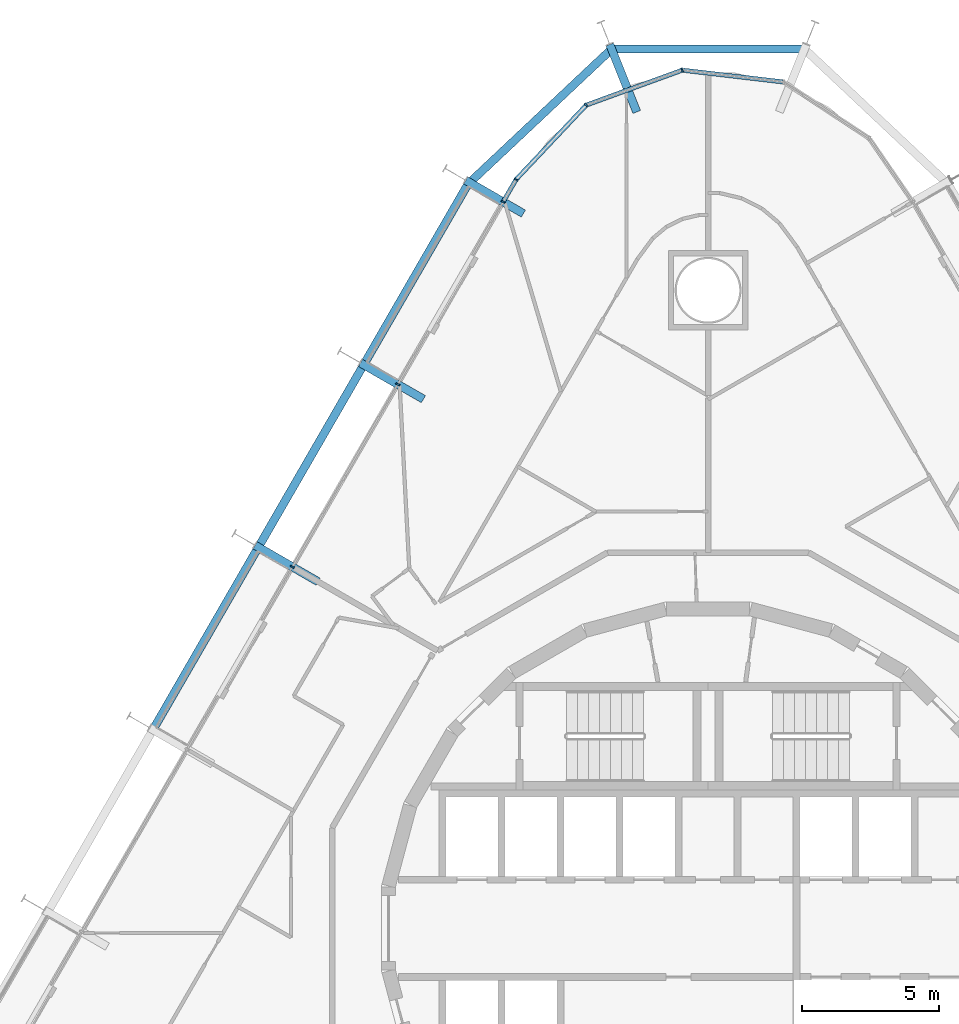
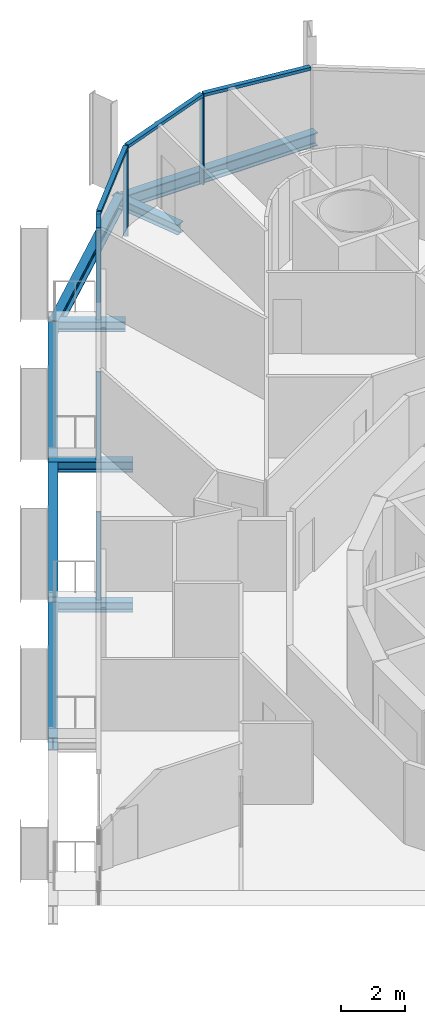
# One storey, part 9 of 21: 10 members, 9 beams, 2 elements without a shape of their own.
"""IFC4 building model written with IfcOpenShell, lengths in metres."""

import ifcopenshell
import ifcopenshell.guid

model = None  # the IFC model being written
_history = None  # IfcOwnerHistory: only IFC2X3 demands one
_inside = {}  # id of a spatial element -> (the spatial element, [elements in it])
_under = {}  # id of a project, library or spatial element -> (it, [spatial elements below it])
_declared = {}  # id of a project -> (the project, [libraries it declares])
_typed = {}  # id of a type object -> (the type object, [elements of that type])
_made_of = {}  # id of a material, layer set ... -> (it, [elements and type objects made of it])


def new_model(schema):
    """Start an empty IFC model of exactly this schema.

    Asked for "IFC4X3", IfcOpenShell would pick the latest addendum, in which some entities
    have other attributes; the version numbers below select the first issue.
    IFC2X3 requires an IfcOwnerHistory on every rooted entity: one is made here for all.
    """
    global model, _history
    if schema == "IFC4X3":
        model = ifcopenshell.file(schema_version=(4, 3, 0, 0))
    else:
        model = ifcopenshell.file(schema=schema)
    _inside.clear()
    _under.clear()
    _declared.clear()
    _typed.clear()
    _made_of.clear()
    _history = None
    if model.schema == "IFC2X3":
        org = make("IfcOrganization", Name="unknown")
        user = make(
            "IfcPersonAndOrganization",
            ThePerson=make("IfcPerson", FamilyName="unknown"),
            TheOrganization=org,
        )
        app = make(
            "IfcApplication",
            ApplicationDeveloper=org,
            Version="unknown",
            ApplicationFullName="unknown",
            ApplicationIdentifier="unknown",
        )
        _history = make(
            "IfcOwnerHistory",
            OwningUser=user,
            OwningApplication=app,
            ChangeAction="ADDED",
            CreationDate=0,
        )
    return model


def make(cls, **values):
    """One entity of the class cls with the attributes given. An attribute that is None is left unset."""
    return model.create_entity(
        cls, **{name: value for name, value in values.items() if value is not None}
    )


def rooted(cls, **values):
    """An entity with a GlobalId (a new one), such as an element, a storey or a relation."""
    return make(cls, GlobalId=ifcopenshell.guid.new(), OwnerHistory=_history, **values)


def si_unit(unit_type, name, prefix=None):
    """IfcSIUnit, for example si_unit("LENGTHUNIT", "METRE", prefix="MILLI")."""
    return make("IfcSIUnit", UnitType=unit_type, Prefix=prefix, Name=name)


def assignment(units):
    """IfcUnitAssignment: the units of a project."""
    return None if units is None else make("IfcUnitAssignment", Units=units)


def point(xyz):
    """IfcCartesianPoint."""
    return None if xyz is None else make("IfcCartesianPoint", Coordinates=xyz)


def direction(xyz):
    """IfcDirection."""
    return None if xyz is None else make("IfcDirection", DirectionRatios=xyz)


def frame(location, z_axis=None, x_axis=None):
    """IfcAxis2Placement3D, a coordinate frame: its origin and axes. An axis left out is left unset."""
    return make(
        "IfcAxis2Placement3D",
        Location=point(location),
        Axis=direction(z_axis),
        RefDirection=direction(x_axis),
    )


def frame_2d(location, x_axis=None):
    """IfcAxis2Placement2D, a coordinate frame in the plane: its origin and x axis."""
    return make(
        "IfcAxis2Placement2D", Location=point(location), RefDirection=direction(x_axis)
    )


def origin():
    """The frame at (0, 0, 0) with its axes left unset."""
    return frame((0.0, 0.0, 0.0))


def origin_2d():
    """The frame at (0, 0) in the plane with its x axis left unset."""
    return frame_2d((0.0, 0.0))


def place(relative_to, where):
    """IfcLocalPlacement: puts the frame where relative to a parent placement (None: the world)."""
    return make(
        "IfcLocalPlacement", PlacementRelTo=relative_to, RelativePlacement=where
    )


def context(
    kind, dimensions, precision=None, world=None, true_north=None, identifier=None
):
    """IfcGeometricRepresentationContext, for example the 3D "Model" context."""
    return make(
        "IfcGeometricRepresentationContext",
        ContextIdentifier=identifier,
        ContextType=kind,
        CoordinateSpaceDimension=dimensions,
        Precision=precision,
        WorldCoordinateSystem=world,
        TrueNorth=true_north,
    )


def subcontext(parent, identifier, kind, view, scale=None):
    """IfcGeometricRepresentationSubContext, for example "Body" below "Model"."""
    return make(
        "IfcGeometricRepresentationSubContext",
        ContextIdentifier=identifier,
        ContextType=kind,
        ParentContext=parent,
        TargetScale=scale,
        TargetView=view,
    )


def project(units=None, contexts=None):
    """IfcProject with its units and contexts."""
    return rooted(
        "IfcProject",
        Name="project",
        RepresentationContexts=contexts,
        UnitsInContext=assignment(units),
    )


def spatial(cls, under=None, at=None, **own):
    """A site, building, storey or space (cls), placed at a placement, below another one or the project."""
    s = rooted(cls, ObjectPlacement=at, **own)
    if under is not None:
        _under.setdefault(under.id(), (under, []))[1].append(s)
    return s


def profile(cls, at=None, kind="AREA", **sizes):
    """A parametric profile (cls). Its sizes go by their IFC names, for example OverallWidth=200.0."""
    return make(cls, ProfileType=kind, Position=at, **sizes)


def rectangle(**sizes):
    """IfcRectangleProfileDef."""
    return profile("IfcRectangleProfileDef", **sizes)


def i_section(**sizes):
    """IfcIShapeProfileDef."""
    return profile("IfcIShapeProfileDef", **sizes)


def extrude(swept, where, along, depth):
    """IfcExtrudedAreaSolid: the profile swept, set in the frame where, extruded along a direction by depth."""
    return make(
        "IfcExtrudedAreaSolid",
        SweptArea=swept,
        Position=where,
        ExtrudedDirection=direction(along),
        Depth=depth,
    )


def shape(context_of_items, identifier, shape_type, items):
    """IfcShapeRepresentation: the items that make up one representation, for example the "Body"."""
    return make(
        "IfcShapeRepresentation",
        ContextOfItems=context_of_items,
        RepresentationIdentifier=identifier,
        RepresentationType=shape_type,
        Items=items,
    )


def material(Name=None, Category=None):
    """IfcMaterial."""
    return make("IfcMaterial", Name=Name, Category=Category)


def layer(
    of_material, thickness, ventilated=None, Name=None, Category=None, Priority=None
):
    """IfcMaterialLayer: one layer of a wall or slab, of a material (None: an air gap)."""
    return make(
        "IfcMaterialLayer",
        Material=of_material,
        LayerThickness=thickness,
        IsVentilated=ventilated,
        Name=Name,
        Category=Category,
        Priority=Priority,
    )


def layer_set(layers, Name=None):
    """IfcMaterialLayerSet."""
    return make("IfcMaterialLayerSet", MaterialLayers=layers, LayerSetName=Name)


def material_profile(
    of_material, cross_section, Name=None, Category=None, Priority=None
):
    """IfcMaterialProfile: a cross section and its material."""
    return make(
        "IfcMaterialProfile",
        Name=Name,
        Material=of_material,
        Profile=cross_section,
        Priority=Priority,
        Category=Category,
    )


def profile_set(profiles, Name=None, composite=None):
    """IfcMaterialProfileSet."""
    return make(
        "IfcMaterialProfileSet",
        Name=Name,
        MaterialProfiles=profiles,
        CompositeProfile=composite,
    )


def made_of(thing, what):
    """Note that an element or type object is made of a material, layer set ...; save() writes the relation."""
    if what is not None:
        _made_of.setdefault(what.id(), (what, []))[1].append(thing)
    return thing


def type_object(cls, material=None, **own):
    """A type object (cls), such as IfcWallType, which elements share."""
    return made_of(rooted(cls, **own), material)


def element(
    cls,
    number,
    at=None,
    inside=None,
    cuts=None,
    type_object=None,
    material=None,
    context=None,
    identifier="Body",
    shape_type=None,
    held_by="IfcProductDefinitionShape",
    body=None,
    shapes=None,
    **own,
):
    """One element of the class cls, such as IfcWall. Its Tag is "e" and its number.

    at: its placement. inside: the storey or other place that contains it. cuts: it is an
    opening in that element (IfcRelVoidsElement). A single representation is given by context,
    identifier, shape_type and body (its items); several are given by shapes. held_by: the class
    of the entity that holds the representations. save() writes the other relations.
    """
    e = rooted(cls, Tag="e%d" % number, ObjectPlacement=at, **own)
    if body is not None:
        shapes = [shape(context, identifier, shape_type, body)]
    if shapes is not None:
        e.Representation = make(held_by, Representations=shapes)
    if inside is not None:
        _inside.setdefault(inside.id(), (inside, []))[1].append(e)
    if cuts is not None:
        rooted(
            "IfcRelVoidsElement", RelatingBuildingElement=cuts, RelatedOpeningElement=e
        )
    if type_object is not None:
        _typed.setdefault(type_object.id(), (type_object, []))[1].append(e)
    return made_of(e, material)


def aggregate(whole, parts):
    """IfcRelAggregates: a whole, such as a stair, and the parts it consists of."""
    return rooted("IfcRelAggregates", RelatingObject=whole, RelatedObjects=parts)


def save(model, path):
    """Write the relations noted so far, then the file.

    IfcRelAggregates (storeys below a building ...), IfcRelContainedInSpatialStructure (elements
    in a storey), IfcRelDefinesByType, IfcRelAssociatesMaterial and IfcRelDeclares: one each for
    every whole, place, type object, material and project.
    """
    for whole, parts in _under.values():
        aggregate(whole, parts)
    for where, things in _inside.values():
        rooted(
            "IfcRelContainedInSpatialStructure",
            RelatedElements=things,
            RelatingStructure=where,
        )
    for kind, things in _typed.values():
        rooted("IfcRelDefinesByType", RelatedObjects=things, RelatingType=kind)
    for what, things in _made_of.values():
        rooted("IfcRelAssociatesMaterial", RelatedObjects=things, RelatingMaterial=what)
    for by, libraries in _declared.values():
        rooted("IfcRelDeclares", RelatingContext=by, RelatedDefinitions=libraries)
    model.write(path)


model = new_model("IFC4")

# Units and contexts
model_context = context("Model", 3, precision=1e-05, world=origin(), true_north=direction((0.0, 1.0)))
body_context = subcontext(model_context, "Body", "Model", "MODEL_VIEW")
ifc_project = project(units=[si_unit("LENGTHUNIT", "METRE"), si_unit("AREAUNIT", "SQUARE_METRE"), si_unit("VOLUMEUNIT", "CUBIC_METRE"), si_unit("PLANEANGLEUNIT", "RADIAN"), si_unit("MASSUNIT", "GRAM", prefix="KILO")], contexts=[model_context])

# Site, building, storey
site_placement = place(None, origin())
site = spatial("IfcSite", under=ifc_project, at=site_placement, CompositionType="ELEMENT")
building_placement = place(site_placement, origin())
building = spatial("IfcBuilding", under=site, at=building_placement, Name="Spindle Arch Residences", CompositionType="ELEMENT")
storey_placement = place(building_placement, frame((0.0, 0.0, 55.89990234375)))
storey = spatial("IfcBuildingStorey", under=building, at=storey_placement, Name="L12", CompositionType="ELEMENT", Elevation=55.89990234375)

# Curtain wall, members
ifc_material_1 = material(Name="Aluminium bronze unitised frame with tinted glass", Category="aluminium")
ifc_layer_1 = layer(ifc_material_1, 0.159912109375)
ifc_layer_set_1 = layer_set([ifc_layer_1], Name="CW-D corner wall on the fillet arcs")
curtain_wall_type_1 = type_object("IfcCurtainWallType", Name="CW-D corner wall on the fillet arcs", PredefinedType="NOTDEFINED", material=ifc_layer_set_1)
curtain_wall_1_placement = place(storey_placement, origin())
curtain_wall_1 = element("IfcCurtainWall", 1, at=curtain_wall_1_placement, inside=storey, type_object=curtain_wall_type_1, Name="CW-D L12 run 3", PredefinedType="NOTDEFINED")
ifc_material_2 = material(Name="Aluminium bronze anodised mullion", Category="aluminium")
ifc_material_profile_1 = material_profile(ifc_material_2, rectangle(XDim=0.159912109375, YDim=0.06005859375, at=origin_2d()), Name="MU 60x160")
ifc_profile_set_1 = profile_set([ifc_material_profile_1], Name="Aluminium bronze anodised mullion")
member_type_1 = type_object("IfcMemberType", Name="Bronze mullion 60x160", PredefinedType="MULLION", material=ifc_profile_set_1)
member_1_placement = place(storey_placement, frame((-0.93798828125, 31.28515625, -0.3798828125), z_axis=(0.0, 0.0, 1.0), x_axis=(0.342020141538, -0.939692621437, 0.0)))
member_1 = element("IfcMember", 2, at=member_1_placement, type_object=member_type_1, Name="CW-D mullion 03", PredefinedType="MULLION", context=body_context, shape_type="SweptSolid", body=[
    extrude(rectangle(XDim=0.159912109375, YDim=0.06005859375, at=origin_2d()), origin(), (0.0, 0.0, 1.0), 3.3798828125),
])
member_2_placement = place(storey_placement, frame((-4.43994140625, 30.010498046875, -0.3798828125), z_axis=(0.0, 0.0, 1.0), x_axis=(0.727373640284, -0.686241639236, 0.0)))
member_2 = element("IfcMember", 3, at=member_2_placement, type_object=member_type_1, Name="CW-D mullion 04", PredefinedType="MULLION", context=body_context, shape_type="SweptSolid", body=[
    extrude(rectangle(XDim=0.159912109375, YDim=0.06005859375, at=origin_2d()), origin(), (0.0, 0.0, 1.0), 3.3798828125),
])
member_3_placement = place(storey_placement, frame((-6.99755859375, 27.2998046875, -0.3798828125), z_axis=(0.0, 0.0, 1.0), x_axis=(0.866025403784, -0.5, 0.0)))
member_3 = element("IfcMember", 4, at=member_3_placement, type_object=member_type_1, Name="CW-D mullion 05", PredefinedType="MULLION", context=body_context, shape_type="SweptSolid", body=[
    extrude(rectangle(XDim=0.159912109375, YDim=0.06005859375, at=origin_2d()), origin(), (0.0, 0.0, 1.0), 3.3798828125),
])

ifc_material_3 = material(Name="Aluminium bronze unitised frame with tinted glass", Category="aluminium")
ifc_layer_2 = layer(ifc_material_3, 0.159912109375)
ifc_layer_set_2 = layer_set([ifc_layer_2], Name="CW-C typical residential unitised wall")
curtain_wall_type_2 = type_object("IfcCurtainWallType", Name="CW-C typical residential unitised wall", PredefinedType="NOTDEFINED", material=ifc_layer_set_2)
curtain_wall_2_placement = place(storey_placement, origin())
curtain_wall_2 = element("IfcCurtainWall", 5, at=curtain_wall_2_placement, inside=storey, type_object=curtain_wall_type_2, Name="CW-C L12 run 4", PredefinedType="NOTDEFINED")
member_4_placement = place(storey_placement, frame((-7.46923828125, 26.48291015625, -0.3798828125), z_axis=(0.0, 0.0, 1.0), x_axis=(0.866025403784, -0.5, 0.0)))
member_4 = element("IfcMember", 6, at=member_4_placement, type_object=member_type_1, Name="CW-C mullion 13", PredefinedType="MULLION", context=body_context, shape_type="SweptSolid", body=[
    extrude(rectangle(XDim=0.159912109375, YDim=0.06005859375, at=origin_2d()), origin(), (0.0, 0.0, 1.0), 3.3798828125),
])
member_5_placement = place(storey_placement, frame((-11.309326171875, 19.83154296875, -0.3798828125), z_axis=(0.0, 0.0, 1.0), x_axis=(0.866025403784, -0.5, 0.0)))
member_5 = element("IfcMember", 7, at=member_5_placement, type_object=member_type_1, Name="CW-C mullion 14", PredefinedType="MULLION", context=body_context, shape_type="SweptSolid", body=[
    extrude(rectangle(XDim=0.159912109375, YDim=0.06005859375, at=origin_2d()), origin(), (0.0, 0.0, 1.0), 3.3798828125),
])
member_6_placement = place(storey_placement, frame((-15.149169921875, 13.180419921875, -0.3798828125), z_axis=(0.0, 0.0, 1.0), x_axis=(0.866025403784, -0.5, 0.0)))
member_6 = element("IfcMember", 8, at=member_6_placement, type_object=member_type_1, Name="CW-C mullion 15", PredefinedType="MULLION", context=body_context, shape_type="SweptSolid", body=[
    extrude(rectangle(XDim=0.159912109375, YDim=0.06005859375, at=origin_2d()), origin(), (0.0, 0.0, 1.0), 3.3798828125),
])
aggregate(curtain_wall_2, [member_4, member_5, member_6])

# Member
ifc_material_4 = material(Name="Aluminium bronze anodised transom", Category="aluminium")
ifc_material_profile_2 = material_profile(ifc_material_4, rectangle(XDim=0.159912109375, YDim=0.1201171875, at=origin_2d()), Name="TR 120x160")
ifc_profile_set_2 = profile_set([ifc_material_profile_2], Name="Aluminium bronze anodised transom")
member_type_2 = type_object("IfcMemberType", Name="Bronze transom 120x160", PredefinedType="USERDEFINED", material=ifc_profile_set_2)
member_7_placement = place(storey_placement, frame((2.733642578125, 30.85595703125, 3.06005859375), z_axis=(-0.993234881174, 0.116122654204, 0.0), x_axis=(-0.116122654204, -0.993234881174, 0.0)))
member_7 = element("IfcMember", 9, at=member_7_placement, type_object=member_type_2, Name="CW-D transom 02", ObjectType="TRANSOM", PredefinedType="USERDEFINED", context=body_context, shape_type="SweptSolid", body=[
    extrude(rectangle(XDim=0.159912109375, YDim=0.1201171875, at=origin_2d()), origin(), (0.0, 0.0, 1.0), 3.666748046875),
])

member_8_placement = place(storey_placement, frame((-0.96630859375, 31.27490234375, 3.06005859375), z_axis=(-0.939686455819, -0.342037080957, 0.0), x_axis=(0.342037080957, -0.939686455819, 0.0)))
member_8 = element("IfcMember", 10, at=member_8_placement, type_object=member_type_2, Name="CW-D transom 03", ObjectType="TRANSOM", PredefinedType="USERDEFINED", context=body_context, shape_type="SweptSolid", body=[
    extrude(rectangle(XDim=0.159912109375, YDim=0.1201171875, at=origin_2d()), origin(), (0.0, 0.0, 1.0), 3.666748046875),
])

member_9_placement = place(storey_placement, frame((-4.460693359375, 29.98876953125, 3.06005859375), z_axis=(-0.686199156324, -0.727413718498, 0.0), x_axis=(0.727413718498, -0.686199156324, 0.0)))
member_9 = element("IfcMember", 11, at=member_9_placement, type_object=member_type_2, Name="CW-D transom 04", ObjectType="TRANSOM", PredefinedType="USERDEFINED", context=body_context, shape_type="SweptSolid", body=[
    extrude(rectangle(XDim=0.159912109375, YDim=0.1201171875, at=origin_2d()), origin(), (0.0, 0.0, 1.0), 3.666748046875),
])

member_10_placement = place(storey_placement, frame((-7.012451171875, 27.27392578125, 3.06005859375), z_axis=(-0.499913830031, -0.866075148324, 0.0), x_axis=(0.866075148324, -0.499913830031, 0.0)))
member_10 = element("IfcMember", 12, at=member_10_placement, type_object=member_type_2, Name="CW-D transom 05", ObjectType="TRANSOM", PredefinedType="USERDEFINED", context=body_context, shape_type="SweptSolid", body=[
    extrude(rectangle(XDim=0.159912109375, YDim=0.1201171875, at=origin_2d()), origin(), (0.0, 0.0, 1.0), 0.883544921875),
])

aggregate(curtain_wall_1, [member_7, member_1, member_8, member_2, member_9, member_3, member_10])

# Beams
ifc_material_5 = material(Name="Steel S460ML, intumescent coating R 120", Category="steel")
ifc_material_profile_3 = material_profile(ifc_material_5, i_section(OverallWidth=0.300048828125, OverallDepth=0.5, WebThickness=0.014404296875, FlangeThickness=0.028076171875, FilletRadius=0.027099609375, at=origin_2d()), Name="HEB 500")
ifc_profile_set_3 = profile_set([ifc_material_profile_3], Name="Steel S460ML, intumescent coating R 120")
beam_type_1 = type_object("IfcBeamType", Name="Exoskeleton edge beam HEB 500", PredefinedType="BEAM", material=ifc_profile_set_3)
beam_1_placement = place(storey_placement, frame((3.6181640625, 32.051513671875, -0.6298828125), z_axis=(-1.0, 0.0, 0.0), x_axis=(0.0, -1.0, 0.0)))
element("IfcBeam", 13, at=beam_1_placement, inside=storey, type_object=beam_type_1, Name="Exoskeleton edge beam 12", PredefinedType="BEAM", context=body_context, shape_type="SweptSolid", body=[
    extrude(i_section(OverallWidth=0.300048828125, OverallDepth=0.5, WebThickness=0.014404296875, FlangeThickness=0.028076171875, FilletRadius=0.027099609375, at=origin_2d()), origin(), (0.0, 0.0, 1.0), 7.236328125),
])
beam_2_placement = place(storey_placement, frame((-3.45849609375, 32.105712890625, -0.6298828125), z_axis=(-0.728394714383, -0.685157748303, 0.0), x_axis=(0.685157748303, -0.728394714383, 0.0)))
element("IfcBeam", 14, at=beam_2_placement, inside=storey, type_object=beam_type_1, Name="Exoskeleton edge beam 13", PredefinedType="BEAM", context=body_context, shape_type="SweptSolid", body=[
    extrude(i_section(OverallWidth=0.300048828125, OverallDepth=0.5, WebThickness=0.014404296875, FlangeThickness=0.028076171875, FilletRadius=0.027099609375, at=origin_2d()), origin(), (0.0, 0.0, 1.0), 7.250244140625),
])
beam_3_placement = place(storey_placement, frame((-8.775146484375, 27.086669921875, -0.6298828125), z_axis=(-0.500003477455, -0.866023396066, 0.0), x_axis=(0.866023396066, -0.500003477455, 0.0)))
element("IfcBeam", 15, at=beam_3_placement, inside=storey, type_object=beam_type_1, Name="Exoskeleton edge beam 14", PredefinedType="BEAM", context=body_context, shape_type="SweptSolid", body=[
    extrude(i_section(OverallWidth=0.300048828125, OverallDepth=0.5, WebThickness=0.014404296875, FlangeThickness=0.028076171875, FilletRadius=0.027099609375, at=origin_2d()), origin(), (0.0, 0.0, 1.0), 7.419921875),
])
for number, where, z_axis, x_axis, name in (
    (16, (-12.615234375, 20.435546875, -0.6298828125), (-0.49998923004, -0.866031621735, 0.0), (0.866031621735, -0.49998923004, 0.0), "Exoskeleton edge beam 15"),
    (17, (-16.455078125, 13.784423828125, -0.6298828125), (-0.5000139068, -0.866017374541, 0.0), (0.866017374541, -0.5000139068, 0.0), "Exoskeleton edge beam 16"),
):
    element("IfcBeam", number, at=place(storey_placement, frame(where, z_axis=z_axis, x_axis=x_axis)), inside=storey, type_object=beam_type_1, Name=name, PredefinedType="BEAM", context=body_context, shape_type="SweptSolid", body=[
        extrude(i_section(OverallWidth=0.300048828125, OverallDepth=0.5, WebThickness=0.014404296875, FlangeThickness=0.028076171875, FilletRadius=0.027099609375, at=origin_2d()), origin(), (0.0, 0.0, 1.0), 7.420166015625),
    ])
ifc_material_6 = material(Name="Steel S460ML, intumescent coating R 120", Category="steel")
ifc_material_profile_4 = material_profile(ifc_material_6, i_section(OverallWidth=0.300048828125, OverallDepth=0.389892578125, WebThickness=0.010986328125, FlangeThickness=0.01904296875, FilletRadius=0.027099609375, at=origin_2d()), Name="HEA 400")
ifc_profile_set_4 = profile_set([ifc_material_profile_4], Name="Steel S460ML, intumescent coating R 120")
beam_type_2 = type_object("IfcBeamType", Name="Floor outrigger HEA 400", PredefinedType="BEAM", material=ifc_profile_set_4)
beam_4_placement = place(storey_placement, frame((-3.581298828125, 32.220703125, -0.574951171875), z_axis=(0.371104734129, -0.928591016706, 0.0), x_axis=(0.928591016706, 0.371104734129, 0.0)))
element("IfcBeam", 18, at=beam_4_placement, inside=storey, type_object=beam_type_2, Name="Floor outrigger 13", PredefinedType="BEAM", context=body_context, shape_type="SweptSolid", body=[
    extrude(i_section(OverallWidth=0.300048828125, OverallDepth=0.389892578125, WebThickness=0.010986328125, FlangeThickness=0.01904296875, FilletRadius=0.027099609375, at=origin_2d()), origin(), (0.0, 0.0, 1.0), 2.64990234375),
])
beam_5_placement = place(storey_placement, frame((-8.828857421875, 27.267822265625, -0.574951171875), z_axis=(0.866002732682, -0.500039265445, 0.0), x_axis=(0.500039265445, 0.866002732682, 0.0)))
element("IfcBeam", 19, at=beam_5_placement, inside=storey, type_object=beam_type_2, Name="Floor outrigger 14", PredefinedType="BEAM", context=body_context, shape_type="SweptSolid", body=[
    extrude(i_section(OverallWidth=0.300048828125, OverallDepth=0.389892578125, WebThickness=0.010986328125, FlangeThickness=0.01904296875, FilletRadius=0.027099609375, at=origin_2d()), origin(), (0.0, 0.0, 1.0), 2.423583984375),
])
for number, where, z_axis, x_axis, name in (
    (20, (-12.6689453125, 20.61669921875, -0.574951171875), (0.866052124492, -0.499953715521, 0.0), (0.499953715521, 0.866052124492, 0.0), "Floor outrigger 15"),
    (21, (-16.5087890625, 13.965576171875, -0.574951171875), (0.865989200783, -0.500062700197, 0.0), (0.500062700197, 0.865989200783, 0.0), "Floor outrigger 16"),
):
    element("IfcBeam", number, at=place(storey_placement, frame(where, z_axis=z_axis, x_axis=x_axis)), inside=storey, type_object=beam_type_2, Name=name, PredefinedType="BEAM", context=body_context, shape_type="SweptSolid", body=[
        extrude(i_section(OverallWidth=0.300048828125, OverallDepth=0.389892578125, WebThickness=0.010986328125, FlangeThickness=0.01904296875, FilletRadius=0.027099609375, at=origin_2d()), origin(), (0.0, 0.0, 1.0), 2.650146484375),
    ])

save(model, "model.ifc")
